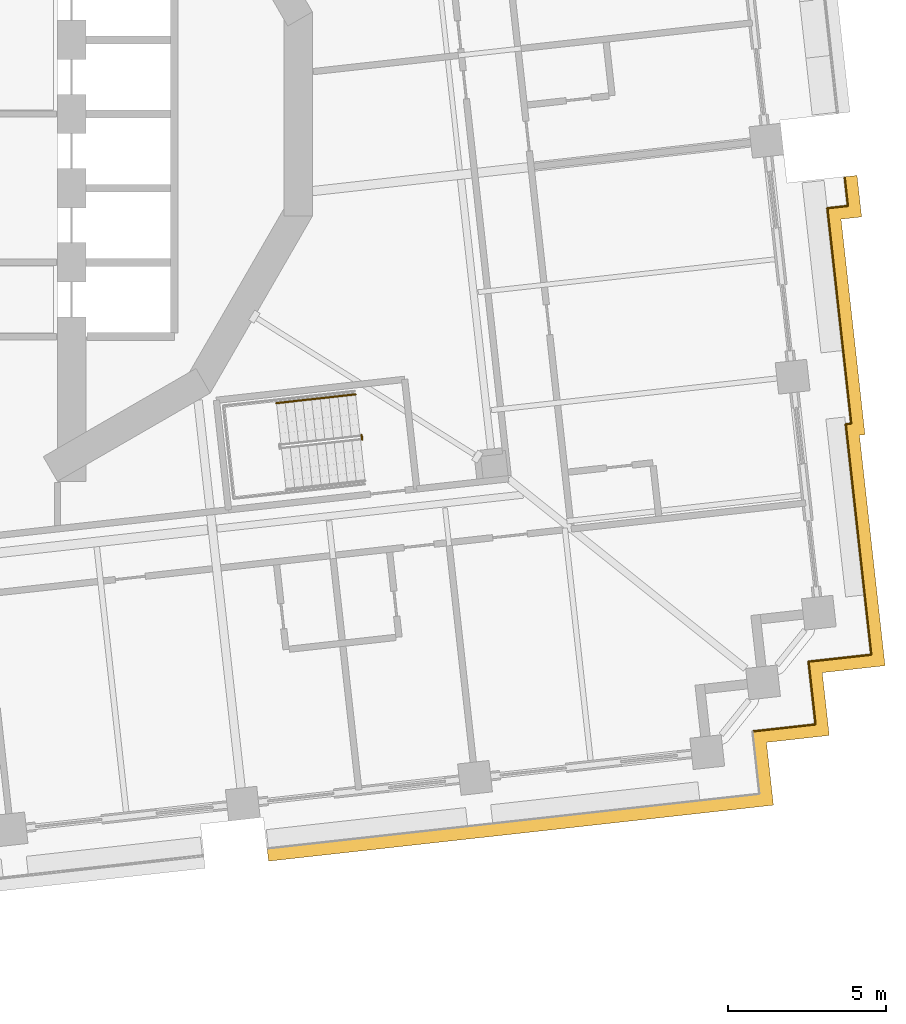
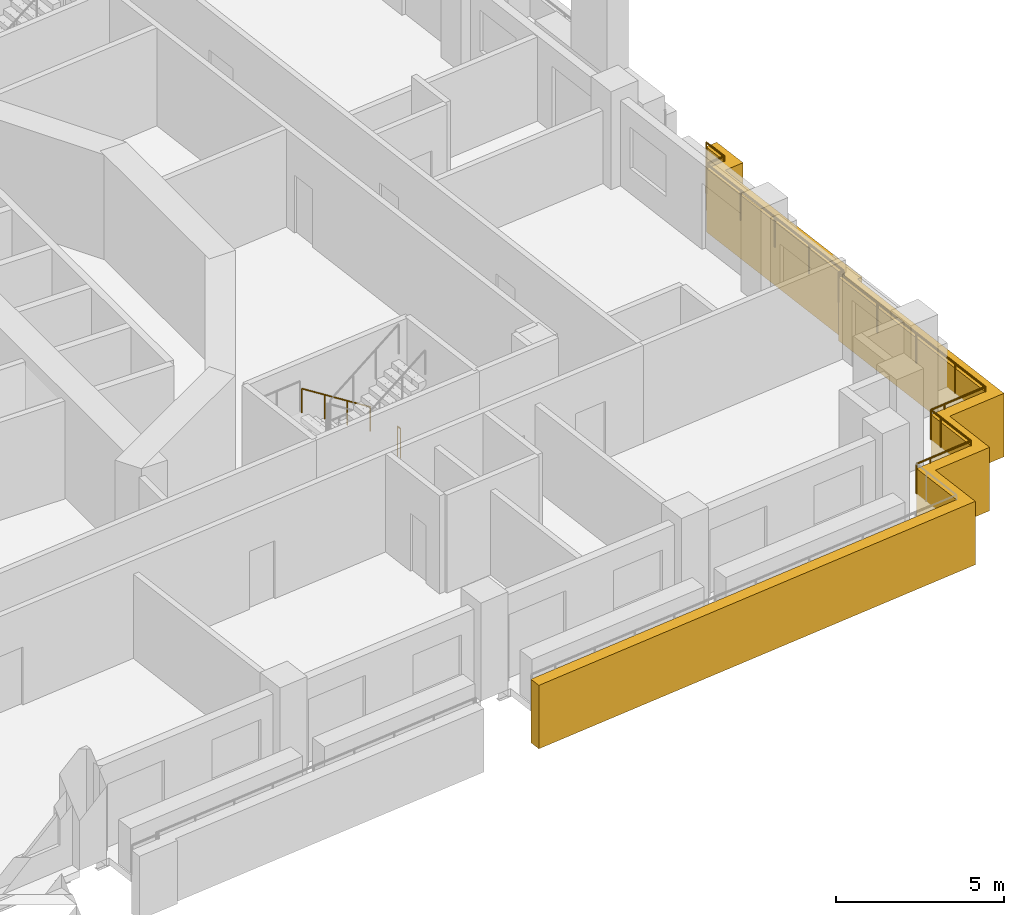
# One storey, part 15 of 19: 3 railings, 1 covering.
"""IFC4 building model written with IfcOpenShell, lengths in metres."""

from ifc_helpers import new_model, si_unit, direction, frame, origin, origin_2d, place, context, subcontext, project, spatial, polyline, circle, outline, extrude, material, type_object, element, save


model = new_model("IFC4")

# Units and contexts
model_context = context("Model", 3, precision=1e-05, world=origin(), true_north=direction((0.0, 1.0)))
body_context = subcontext(model_context, "Body", "Model", "MODEL_VIEW")
ifc_project = project(units=[si_unit("LENGTHUNIT", "METRE"), si_unit("AREAUNIT", "SQUARE_METRE"), si_unit("VOLUMEUNIT", "CUBIC_METRE"), si_unit("PLANEANGLEUNIT", "RADIAN"), si_unit("MASSUNIT", "GRAM", prefix="KILO")], contexts=[model_context])

# Site, building, storey
site_placement = place(None, origin())
site = spatial("IfcSite", under=ifc_project, at=site_placement, CompositionType="ELEMENT")
building_placement = place(site_placement, origin())
building = spatial("IfcBuilding", under=site, at=building_placement, Name="Cantera Rosa Tower", CompositionType="ELEMENT")
storey_placement = place(building_placement, frame((0.0, 0.0, 53.89990234375)))
storey = spatial("IfcBuildingStorey", under=building, at=storey_placement, Name="L10", CompositionType="ELEMENT", Elevation=53.89990234375)

# Railings
ifc_material_1 = material(Name="Stainless steel and laminated glass", Category="steel")
railing_type_1 = type_object("IfcRailingType", Name="GUARD 1100", PredefinedType="BALUSTRADE", material=ifc_material_1)
railing_1_placement = place(storey_placement, frame((28.92919921875, -2.010986328125, 0.0)))
element("IfcRailing", 1, at=railing_1_placement, inside=storey, type_object=railing_type_1, Name="GUARD L10-10", PredefinedType="BALUSTRADE", context=body_context, shape_type="SweptSolid", body=[
    extrude(circle(Radius=0.030029296875, at=origin_2d()), frame((0.0, 0.0, 1.070068359375), z_axis=(0.110550482044, -0.993870510137, 0.0), x_axis=(0.993870510137, 0.110550482044, 0.0)), (0.0, 0.0, 1.0), 0.901123046875),
    extrude(circle(Radius=0.030029296875, at=origin_2d()), frame((0.099609375, -0.8955078125, 1.070068359375), z_axis=(-0.993901893263, -0.110267976164, 0.0), x_axis=(0.110267976164, -0.993901893263, 0.0)), (0.0, 0.0, 1.0), 0.6552734375),
    extrude(circle(Radius=0.030029296875, at=origin_2d()), frame((-0.5517578125, -0.9677734375, 1.070068359375), z_axis=(0.110322228488, -0.993895872766, 0.0), x_axis=(0.993895872766, 0.110322228488, 0.0)), (0.0, 0.0, 1.0), 6.86474609375),
    extrude(circle(Radius=0.030029296875, at=origin_2d()), frame((0.20556640625, -7.79052734375, 1.070068359375), z_axis=(-0.993798690256, -0.11119425905, 0.0), x_axis=(0.11119425905, -0.993798690256, 0.0)), (0.0, 0.0, 1.0), 0.175537109375),
    extrude(circle(Radius=0.030029296875, at=origin_2d()), frame((0.031005859375, -7.81005859375, 1.070068359375), z_axis=(0.110284804511, -0.993900026106, 0.0), x_axis=(0.993900026106, 0.110284804511, 0.0)), (0.0, 0.0, 1.0), 5.84423828125),
    extrude(circle(Radius=0.030029296875, at=origin_2d()), frame((0.675537109375, -13.61865234375, 1.070068359375), z_axis=(0.110360064491, -0.993891672249, 0.0), x_axis=(0.993891672249, 0.110360064491, 0.0)), (0.0, 0.0, 1.0), 1.5),
    extrude(circle(Radius=0.030029296875, at=origin_2d()), frame((0.841064453125, -15.109375, 1.070068359375), z_axis=(-0.993891672249, -0.110360064491, 0.0), x_axis=(0.110360064491, -0.993891672249, 0.0)), (0.0, 0.0, 1.0), 1.5),
    extrude(circle(Radius=0.030029296875, at=origin_2d()), frame((-0.649658203125, -15.27490234375, 1.070068359375), z_axis=(-0.993895635261, -0.110324368158, 0.0), x_axis=(0.110324368158, -0.993895635261, 0.0)), (0.0, 0.0, 1.0), 0.500244140625),
    extrude(circle(Radius=0.030029296875, at=origin_2d()), frame((-1.146728515625, -15.330078125, 1.070068359375), z_axis=(0.110324368158, -0.993895635261, 0.0), x_axis=(0.993895635261, 0.110324368158, 0.0)), (0.0, 0.0, 1.0), 0.500244140625),
    extrude(circle(Radius=0.030029296875, at=origin_2d()), frame((-1.091552734375, -15.8271484375, 1.070068359375), z_axis=(0.110360064491, -0.993891672249, 0.0), x_axis=(0.993891672249, 0.110360064491, 0.0)), (0.0, 0.0, 1.0), 1.5),
    extrude(circle(Radius=0.030029296875, at=origin_2d()), frame((-0.926025390625, -17.31787109375, 1.070068359375), z_axis=(-0.993893654236, -0.110342213455, 0.0), x_axis=(0.110342213455, -0.993893654236, 0.0)), (0.0, 0.0, 1.0), 1.500244140625),
    extrude(circle(Radius=0.030029296875, at=origin_2d()), frame((-2.4169921875, -17.4833984375, 1.070068359375), z_axis=(-0.9938896893, -0.110377921269, 0.0), x_axis=(0.110377921269, -0.9938896893, 0.0)), (0.0, 0.0, 1.0), 0.5),
    extrude(circle(Radius=0.02490234375, at=origin_2d()), origin(), (0.0, 0.0, 1.0), 1.0400390625),
    extrude(circle(Radius=0.02490234375, at=origin_2d()), frame((0.099609375, -0.8955078125, 0.0)), (0.0, 0.0, 1.0), 1.0400390625),
    extrude(circle(Radius=0.02490234375, at=origin_2d()), frame((-0.5517578125, -0.9677734375, 0.0)), (0.0, 0.0, 1.0), 1.0400390625),
    extrude(circle(Radius=0.02490234375, at=origin_2d()), frame((-0.3623046875, -2.67333984375, 0.0)), (0.0, 0.0, 1.0), 1.0400390625),
    extrude(circle(Radius=0.02490234375, at=origin_2d()), frame((-0.173095703125, -4.379150390625, 0.0)), (0.0, 0.0, 1.0), 1.0400390625),
    extrude(circle(Radius=0.02490234375, at=origin_2d()), frame((0.01611328125, -6.0849609375, 0.0)), (0.0, 0.0, 1.0), 1.0400390625),
    extrude(circle(Radius=0.02490234375, at=origin_2d()), frame((0.20556640625, -7.79052734375, 0.0)), (0.0, 0.0, 1.0), 1.0400390625),
    extrude(circle(Radius=0.02490234375, at=origin_2d()), frame((0.031005859375, -7.81005859375, 0.0)), (0.0, 0.0, 1.0), 1.0400390625),
    extrude(circle(Radius=0.02490234375, at=origin_2d()), frame((0.245849609375, -9.746337890625, 0.0)), (0.0, 0.0, 1.0), 1.0400390625),
    extrude(circle(Radius=0.02490234375, at=origin_2d()), frame((0.460693359375, -11.682373046875, 0.0)), (0.0, 0.0, 1.0), 1.0400390625),
    extrude(circle(Radius=0.02490234375, at=origin_2d()), frame((0.675537109375, -13.61865234375, 0.0)), (0.0, 0.0, 1.0), 1.0400390625),
    extrude(circle(Radius=0.02490234375, at=origin_2d()), frame((0.841064453125, -15.109375, 0.0)), (0.0, 0.0, 1.0), 1.0400390625),
    extrude(circle(Radius=0.02490234375, at=origin_2d()), frame((-0.649658203125, -15.27490234375, 0.0)), (0.0, 0.0, 1.0), 1.0400390625),
    extrude(circle(Radius=0.02490234375, at=origin_2d()), frame((-1.146728515625, -15.330078125, 0.0)), (0.0, 0.0, 1.0), 1.0400390625),
    extrude(circle(Radius=0.02490234375, at=origin_2d()), frame((-1.091552734375, -15.8271484375, 0.0)), (0.0, 0.0, 1.0), 1.0400390625),
    extrude(circle(Radius=0.02490234375, at=origin_2d()), frame((-0.926025390625, -17.31787109375, 0.0)), (0.0, 0.0, 1.0), 1.0400390625),
    extrude(circle(Radius=0.02490234375, at=origin_2d()), frame((-2.4169921875, -17.4833984375, 0.0)), (0.0, 0.0, 1.0), 1.0400390625),
    extrude(circle(Radius=0.02490234375, at=origin_2d()), frame((-2.913818359375, -17.53857421875, 0.0)), (0.0, 0.0, 1.0), 1.0400390625),
])
ifc_material_2 = material(Name="Steel S355J2 (EN 10025-2)", Category="steel")
railing_type_2 = type_object("IfcRailingType", Name="STAIR GUARD 1100", PredefinedType="GUARDRAIL", material=ifc_material_2)
railing_2_placement = place(storey_placement, frame((13.6328125, -10.16552734375, 0.0)))
element("IfcRailing", 2, at=railing_2_placement, inside=storey, type_object=railing_type_2, Name="L10 ST-14 stair guard 3", PredefinedType="GUARDRAIL", context=body_context, shape_type="SweptSolid", body=[
    extrude(circle(Radius=0.02392578125, at=origin_2d()), frame((0.0, 0.0, 1.076171875), z_axis=(0.110610055588, -0.993863881828, 0.0), x_axis=(0.993863881828, 0.110610055588, 0.0)), (0.0, 0.0, 1.0), 0.150146484375),
    extrude(circle(Radius=0.02099609375, at=origin_2d()), origin(), (0.0, 0.0, 1.0), 1.052001953125),
    extrude(circle(Radius=0.02099609375, at=origin_2d()), frame((0.0166015625, -0.149169921875, 0.0)), (0.0, 0.0, 1.0), 1.052001953125),
])
ifc_material_3 = material(Name="Steel S355J2 (EN 10025-2)", Category="steel")
railing_type_3 = type_object("IfcRailingType", Name="STAIR HANDRAIL 900", PredefinedType="HANDRAIL", material=ifc_material_3)
railing_3_placement = place(storey_placement, frame((13.439697265625, -8.87890625, 0.190185546875)))
element("IfcRailing", 3, at=railing_3_placement, inside=storey, type_object=railing_type_3, Name="L10 ST-14 stair handrail 1", PredefinedType="HANDRAIL", context=body_context, shape_type="SweptSolid", body=[
    extrude(circle(Radius=0.02392578125, at=origin_2d()), frame((0.0, 0.0, 0.8759765625), z_axis=(-0.822431337597, -0.091310000343, 0.561488360321), x_axis=(0.110346460196, -0.993893182753, 0.0)), (0.0, 0.0, 1.0), 3.04541015625),
    extrude(circle(Radius=0.02099609375, at=origin_2d()), origin(), (0.0, 0.0, 1.0), 0.851806640625),
    extrude(circle(Radius=0.02099609375, at=origin_2d()), frame((-0.8349609375, -0.0927734375, 0.570068359375)), (0.0, 0.0, 1.0), 0.851806640625),
    extrude(circle(Radius=0.02099609375, at=origin_2d()), frame((-1.669677734375, -0.185302734375, 1.139892578125)), (0.0, 0.0, 1.0), 0.851806640625),
    extrude(circle(Radius=0.02099609375, at=origin_2d()), frame((-2.504638671875, -0.278076171875, 1.7099609375)), (0.0, 0.0, 1.0), 0.851806640625),
])

# Covering
ifc_material_4 = material(Name="Cantera stone", Category="masonry")
covering_type = type_object("IfcCoveringType", Name="TRAY FASCIA 400", PredefinedType="CLADDING", material=ifc_material_4)
covering_placement = place(storey_placement, frame((0.0, 0.0, -1.39990234375)))
element("IfcCovering", 4, at=covering_placement, inside=storey, type_object=covering_type, Name="TRAY FASCIA L10-06", PredefinedType="CLADDING", context=body_context, shape_type="SweptSolid", body=[
    extrude(outline(polyline([(29.470458984375, -3.259765625), (28.819091796875, -3.33203125), (29.576416015625, -10.155029296875), (29.40185546875, -10.174560546875), (30.00244140625, -15.58544921875), (30.2119140625, -17.473876953125), (28.323486328125, -17.68359375), (28.22412109375, -17.694580078125), (28.235107421875, -17.7939453125), (28.44482421875, -19.682373046875), (26.556396484375, -19.891845703125), (26.45703125, -19.90283203125), (26.468017578125, -20.002197265625), (26.677734375, -21.890625), (24.789306640625, -22.100341796875), (18.92529296875, -22.751220703125), (15.943603515625, -23.08203125), (11.5703125, -23.5673828125), (10.685791015625, -23.665771484375), (10.6416015625, -23.26806640625), (11.5263671875, -23.169921875), (15.8994140625, -22.6845703125), (18.881103515625, -22.353515625), (24.7451171875, -21.70263671875), (26.23583984375, -21.537353515625), (26.070556640625, -20.04638671875), (26.015380859375, -19.549560546875), (26.51220703125, -19.494384765625), (28.003173828125, -19.328857421875), (27.837646484375, -17.838134765625), (27.782470703125, -17.341064453125), (28.279541015625, -17.285888671875), (29.770263671875, -17.120361328125), (29.604736328125, -15.629638671875), (28.960205078125, -9.821044921875), (29.134765625, -9.801513671875), (28.37744140625, -2.978759765625), (29.02880859375, -2.906494140625), (28.927001953125, -1.9912109375), (29.32470703125, -1.947021484375), (29.470458984375, -3.259765625)])), origin(), (0.0, 0.0, 1.0), 2.300048828125),
])

save(model, "model.ifc")
